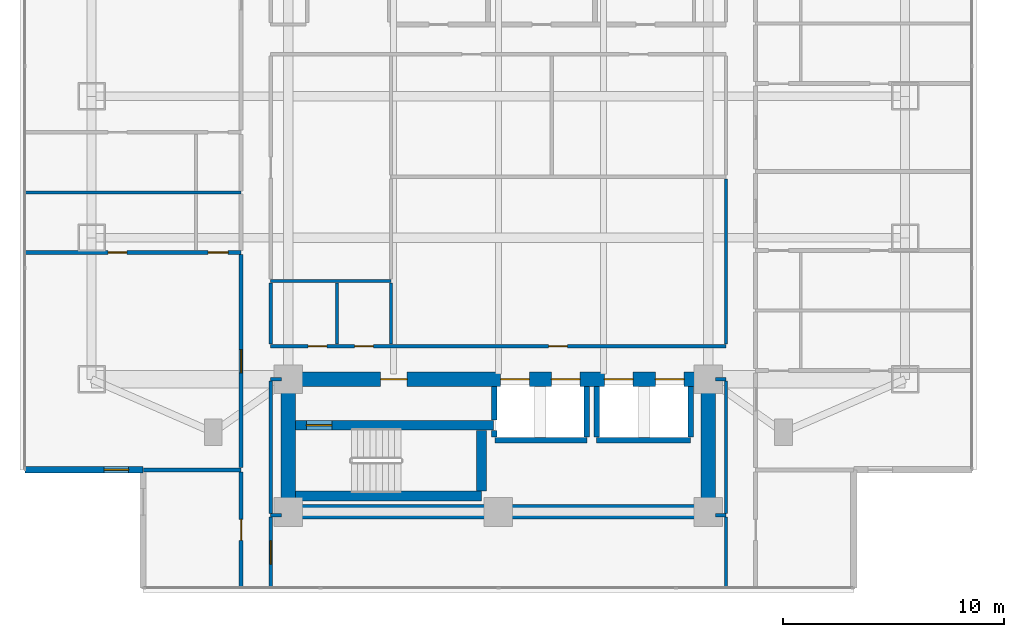
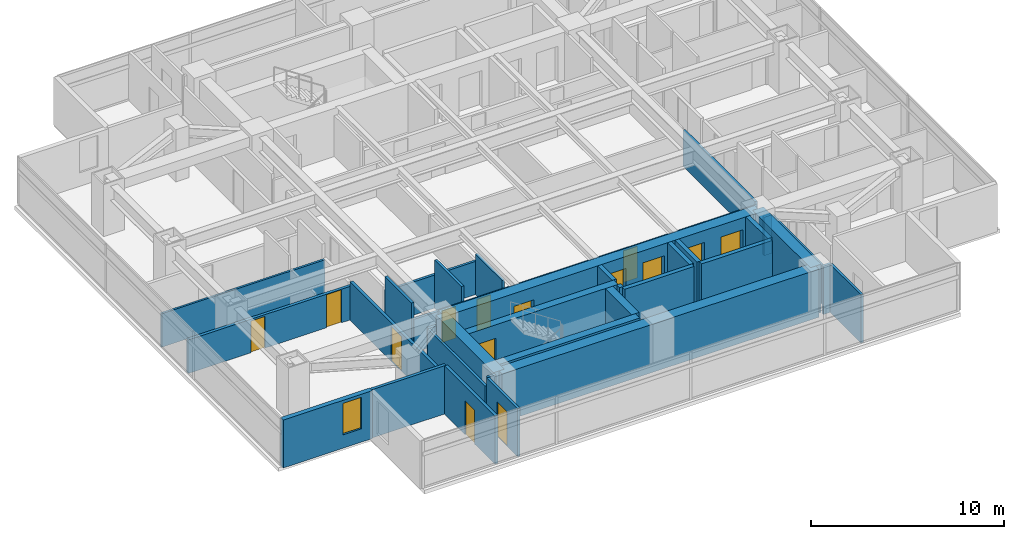
# One storey, part 12 of 24: 34 walls, 14 doors, 1 window, 15 openings.
"""IFC4 building model written with IfcOpenShell, lengths in metres."""

from ifc_helpers import new_model, si_unit, direction, frame, frame_2d, origin, place, context, subcontext, project, spatial, rectangle, extrude, material, layer, layer_set, type_object, element, fill, save


model = new_model("IFC4")

# Units and contexts
model_context = context("Model", 3, precision=1e-05, world=origin(), true_north=direction((0.0, 1.0)))
body_context = subcontext(model_context, "Body", "Model", "MODEL_VIEW")
ifc_project = project(units=[si_unit("LENGTHUNIT", "METRE"), si_unit("AREAUNIT", "SQUARE_METRE"), si_unit("VOLUMEUNIT", "CUBIC_METRE"), si_unit("PLANEANGLEUNIT", "RADIAN"), si_unit("MASSUNIT", "GRAM", prefix="KILO")], contexts=[model_context])

# Site, building, storey
site_placement = place(None, origin())
site = spatial("IfcSite", under=ifc_project, at=site_placement, CompositionType="ELEMENT")
building_placement = place(site_placement, origin())
building = spatial("IfcBuilding", under=site, at=building_placement, Name="Mirazonda Arch Towers", CompositionType="ELEMENT")
storey_placement = place(building_placement, frame((0.0, 0.0, 62.0)))
storey = spatial("IfcBuildingStorey", under=building, at=storey_placement, Name="L17", CompositionType="ELEMENT", Elevation=62.0)

# Wall
ifc_material_1 = material(Name="Concrete C50/60", Category="concrete")
ifc_layer_1 = layer(ifc_material_1, 0.449951171875, Name="WALL-CORE-450")
ifc_layer_set_1 = layer_set([ifc_layer_1], Name="Concrete C50/60")
wall_type_1 = type_object("IfcWallType", Name="WALL-CORE-450", PredefinedType="SHEAR", material=ifc_layer_set_1)
wall_1_placement = place(storey_placement, frame((11.320068359375, 13.1201171875, 0.0), z_axis=(0.0, 0.0, 1.0), x_axis=(1.0, 0.0, 0.0)))
element("IfcWall", 1, at=wall_1_placement, inside=storey, type_object=wall_type_1, Name="L17 Stair Core Shear Wall 003", PredefinedType="SHEAR", context=body_context, shape_type="SweptSolid", body=[
    extrude(rectangle(XDim=8.409912109375, YDim=0.449951171875, at=frame_2d((4.205078125, 0.0))), origin(), (0.0, 0.0, 1.0), 3.06005859375),
])

# Wall, opening, door
wall_2_placement = place(storey_placement, frame((11.320068359375, 16.320068359375, 0.0), z_axis=(0.0, 0.0, 1.0), x_axis=(1.0, 0.0, 0.0)))
wall_2 = element("IfcWall", 2, at=wall_2_placement, inside=storey, type_object=wall_type_1, Name="L17 Stair Core Shear Wall 008", PredefinedType="SHEAR", context=body_context, shape_type="SweptSolid", body=[
    extrude(rectangle(XDim=8.9599609375, YDim=0.449951171875, at=frame_2d((4.47998046875, 0.0))), origin(), (0.0, 0.0, 1.0), 3.06005859375),
])
opening_1_placement = place(wall_2_placement, frame((0.4951171875, 0.0, 0.0)))
opening_1 = element("IfcOpeningElement", 3, at=opening_1_placement, cuts=wall_2, Name="Opening DR-135", PredefinedType="OPENING", context=body_context, shape_type="SweptSolid", body=[
    extrude(rectangle(XDim=1.14990234375, YDim=2.199951171875, at=frame_2d((0.574951171875, 1.10009765625))), frame((0.0, 0.23486328125, 0.0), z_axis=(0.0, -1.0, 0.0), x_axis=(1.0, 0.0, 0.0)), (0.0, 0.0, 1.0), 0.469970703125),
])
ifc_material_2 = material(Name="Architectural Brushed Steel S355", Category="steel")
door_type_1 = type_object("IfcDoorType", Name="DOOR-STAIR-FD90-1150", OperationType="NOTDEFINED", PredefinedType="DOOR", material=ifc_material_2)
door_1_placement = place(opening_1_placement, origin())
door_1 = element("IfcDoor", 4, at=door_1_placement, inside=storey, type_object=door_type_1, Name="L17 Protected Exit Stair South Door", OperationType="SINGLE_SWING_RIGHT", OverallHeight=2.199951171875, OverallWidth=1.14990234375, PredefinedType="DOOR", context=body_context, shape_type="SweptSolid", body=[
    extrude(rectangle(XDim=1.14990234375, YDim=2.199951171875, at=frame_2d((0.574951171875, 1.10009765625))), frame((0.0, 0.02490234375, 0.0), z_axis=(0.0, -1.0, 0.0), x_axis=(1.0, 0.0, 0.0)), (0.0, 0.0, 1.0), 0.050048828125),
])
fill(opening_1, door_1)

# Walls
wall_3_placement = place(storey_placement, frame((19.72998046875, 13.35498046875, 0.0), z_axis=(0.0, 0.0, 1.0), x_axis=(0.0, 1.0, 0.0)))
element("IfcWall", 5, at=wall_3_placement, inside=storey, type_object=wall_type_1, Name="L17 Stair Core Shear Wall 082", PredefinedType="SHEAR", context=body_context, shape_type="SweptSolid", body=[
    extrude(rectangle(XDim=2.72998046875, YDim=0.449951171875, at=frame_2d((1.364990234375, 0.0))), origin(), (0.0, 0.0, 1.0), 3.06005859375),
])
ifc_material_3 = material(Name="Concrete C60/75", Category="concrete")
ifc_layer_2 = layer(ifc_material_3, 0.64990234375, Name="WALL-CORE-650")
ifc_layer_set_2 = layer_set([ifc_layer_2], Name="Concrete C60/75")
wall_type_2 = type_object("IfcWallType", Name="WALL-CORE-650", PredefinedType="SHEAR", material=ifc_layer_set_2)
wall_4_placement = place(storey_placement, frame((11.0, 12.39990234375, 0.0), z_axis=(0.0, 0.0, 1.0), x_axis=(1.0, 0.0, 0.0)))
element("IfcWall", 6, at=wall_4_placement, inside=storey, type_object=wall_type_2, Name="L17 T1S-S Core Shear Wall", PredefinedType="SHEAR", context=body_context, shape_type="SweptSolid", body=[
    extrude(rectangle(XDim=19.0, YDim=0.64990234375, at=frame_2d((9.5, 0.0))), origin(), (0.0, 0.0, 1.0), 3.06005859375),
])
for number, where, z_axis, x_axis, name in (
    (7, (11.0, 12.39990234375, 0.0), (0.0, 0.0, 1.0), (0.0, 1.0, 0.0), "L17 T1S-W Core Shear Wall"),
    (8, (30.0, 12.39990234375, 0.0), (0.0, 0.0, 1.0), (0.0, 1.0, 0.0), "L17 T1S-E Core Shear Wall"),
):
    element("IfcWall", number, at=place(storey_placement, frame(where, z_axis=z_axis, x_axis=x_axis)), inside=storey, type_object=wall_type_2, Name=name, PredefinedType="SHEAR", context=body_context, shape_type="SweptSolid", body=[
        extrude(rectangle(XDim=6.0, YDim=0.64990234375, at=frame_2d((3.0, 0.0))), origin(), (0.0, 0.0, 1.0), 3.06005859375),
    ])

# Wall, openings, doors
wall_5_placement = place(storey_placement, frame((11.0, 18.39990234375, 0.0), z_axis=(0.0, 0.0, 1.0), x_axis=(1.0, 0.0, 0.0)))
wall_5 = element("IfcWall", 9, at=wall_5_placement, inside=storey, type_object=wall_type_2, Name="L17 T1S-N Core Shear Wall", PredefinedType="SHEAR", context=body_context, shape_type="SweptSolid", body=[
    extrude(rectangle(XDim=19.0, YDim=0.64990234375, at=frame_2d((9.5, 0.0))), origin(), (0.0, 0.0, 1.0), 3.06005859375),
])
opening_2_placement = place(wall_5_placement, frame((4.175048828125, 0.0, 0.0)))
opening_2 = element("IfcOpeningElement", 10, at=opening_2_placement, cuts=wall_5, Name="Opening DR-117", PredefinedType="OPENING", context=body_context, shape_type="SweptSolid", body=[
    extrude(rectangle(XDim=1.199951171875, YDim=2.25, at=frame_2d((0.60009765625, 1.125))), frame((0.0, 0.3349609375, 0.0), z_axis=(0.0, -1.0, 0.0), x_axis=(1.0, 0.0, 0.0)), (0.0, 0.0, 1.0), 0.669921875),
])
opening_3_placement = place(wall_5_placement, frame((9.60009765625, 0.0, 0.0)))
opening_3 = element("IfcOpeningElement", 11, at=opening_3_placement, cuts=wall_5, Name="Opening LD-111", PredefinedType="OPENING", context=body_context, shape_type="SweptSolid", body=[
    extrude(rectangle(XDim=1.300048828125, YDim=2.300048828125, at=frame_2d((0.64990234375, 1.14990234375))), frame((0.0, 0.3349609375, 0.0), z_axis=(0.0, -1.0, 0.0), x_axis=(1.0, 0.0, 0.0)), (0.0, 0.0, 1.0), 0.669921875),
])
opening_4_placement = place(wall_5_placement, frame((11.89990234375, 0.0, 0.0)))
opening_4 = element("IfcOpeningElement", 12, at=opening_4_placement, cuts=wall_5, Name="Opening LD-111", PredefinedType="OPENING", context=body_context, shape_type="SweptSolid", body=[
    extrude(rectangle(XDim=1.300048828125, YDim=2.300048828125, at=frame_2d((0.64990234375, 1.14990234375))), frame((0.0, 0.3349609375, 0.0), z_axis=(0.0, -1.0, 0.0), x_axis=(1.0, 0.0, 0.0)), (0.0, 0.0, 1.0), 0.669921875),
])
opening_5_placement = place(wall_5_placement, frame((14.300048828125, 0.0, 0.0)))
opening_5 = element("IfcOpeningElement", 13, at=opening_5_placement, cuts=wall_5, Name="Opening LD-111", PredefinedType="OPENING", context=body_context, shape_type="SweptSolid", body=[
    extrude(rectangle(XDim=1.300048828125, YDim=2.300048828125, at=frame_2d((0.64990234375, 1.14990234375))), frame((0.0, 0.3349609375, 0.0), z_axis=(0.0, -1.0, 0.0), x_axis=(1.0, 0.0, 0.0)), (0.0, 0.0, 1.0), 0.669921875),
])
opening_6_placement = place(wall_5_placement, frame((16.60009765625, 0.0, 0.0)))
opening_6 = element("IfcOpeningElement", 14, at=opening_6_placement, cuts=wall_5, Name="Opening LD-111", PredefinedType="OPENING", context=body_context, shape_type="SweptSolid", body=[
    extrude(rectangle(XDim=1.300048828125, YDim=2.300048828125, at=frame_2d((0.64990234375, 1.14990234375))), frame((0.0, 0.3349609375, 0.0), z_axis=(0.0, -1.0, 0.0), x_axis=(1.0, 0.0, 0.0)), (0.0, 0.0, 1.0), 0.669921875),
])
door_type_2 = type_object("IfcDoorType", Name="DOOR-FFL-FD90-1200", OperationType="NOTDEFINED", PredefinedType="DOOR", material=ifc_material_2)
door_2_placement = place(opening_2_placement, origin())
door_2 = element("IfcDoor", 15, at=door_2_placement, inside=storey, type_object=door_type_2, Name="L17 South Core Stair & Lift Lobby Door", OperationType="SINGLE_SWING_LEFT", OverallHeight=2.25, OverallWidth=1.199951171875, PredefinedType="DOOR", context=body_context, shape_type="SweptSolid", body=[
    extrude(rectangle(XDim=1.199951171875, YDim=2.25, at=frame_2d((0.60009765625, 1.125))), frame((0.0, 0.02490234375, 0.0), z_axis=(0.0, -1.0, 0.0), x_axis=(1.0, 0.0, 0.0)), (0.0, 0.0, 1.0), 0.050048828125),
])
fill(opening_2, door_2)
door_type_3 = type_object("IfcDoorType", Name="DOOR-LIFT-LAND-1300", OperationType="NOTDEFINED", PredefinedType="DOOR", material=ifc_material_2)
door_3_placement = place(opening_3_placement, origin())
door_3 = element("IfcDoor", 16, at=door_3_placement, inside=storey, type_object=door_type_3, Name="L17 Lift Landing Sliding Door PL-T1M1", OperationType="DOUBLE_DOOR_SLIDING", OverallHeight=2.300048828125, OverallWidth=1.300048828125, PredefinedType="DOOR", context=body_context, shape_type="SweptSolid", body=[
    extrude(rectangle(XDim=1.300048828125, YDim=2.300048828125, at=frame_2d((0.64990234375, 1.14990234375))), frame((0.0, 0.02490234375, 0.0), z_axis=(0.0, -1.0, 0.0), x_axis=(1.0, 0.0, 0.0)), (0.0, 0.0, 1.0), 0.050048828125),
])
fill(opening_3, door_3)
door_4_placement = place(opening_4_placement, origin())
door_4 = element("IfcDoor", 17, at=door_4_placement, inside=storey, type_object=door_type_3, Name="L17 Lift Landing Sliding Door PL-T1M2", OperationType="DOUBLE_DOOR_SLIDING", OverallHeight=2.300048828125, OverallWidth=1.300048828125, PredefinedType="DOOR", context=body_context, shape_type="SweptSolid", body=[
    extrude(rectangle(XDim=1.300048828125, YDim=2.300048828125, at=frame_2d((0.64990234375, 1.14990234375))), frame((0.0, 0.02490234375, 0.0), z_axis=(0.0, -1.0, 0.0), x_axis=(1.0, 0.0, 0.0)), (0.0, 0.0, 1.0), 0.050048828125),
])
fill(opening_4, door_4)
door_5_placement = place(opening_5_placement, origin())
door_5 = element("IfcDoor", 18, at=door_5_placement, inside=storey, type_object=door_type_3, Name="L17 Lift Landing Sliding Door PL-T1H1", OperationType="DOUBLE_DOOR_SLIDING", OverallHeight=2.300048828125, OverallWidth=1.300048828125, PredefinedType="DOOR", context=body_context, shape_type="SweptSolid", body=[
    extrude(rectangle(XDim=1.300048828125, YDim=2.300048828125, at=frame_2d((0.64990234375, 1.14990234375))), frame((0.0, 0.02490234375, 0.0), z_axis=(0.0, -1.0, 0.0), x_axis=(1.0, 0.0, 0.0)), (0.0, 0.0, 1.0), 0.050048828125),
])
fill(opening_5, door_5)
door_6_placement = place(opening_6_placement, origin())
door_6 = element("IfcDoor", 19, at=door_6_placement, inside=storey, type_object=door_type_3, Name="L17 Lift Landing Sliding Door PL-T1H2", OperationType="DOUBLE_DOOR_SLIDING", OverallHeight=2.300048828125, OverallWidth=1.300048828125, PredefinedType="DOOR", context=body_context, shape_type="SweptSolid", body=[
    extrude(rectangle(XDim=1.300048828125, YDim=2.300048828125, at=frame_2d((0.64990234375, 1.14990234375))), frame((0.0, 0.02490234375, 0.0), z_axis=(0.0, -1.0, 0.0), x_axis=(1.0, 0.0, 0.0)), (0.0, 0.0, 1.0), 0.050048828125),
])
fill(opening_6, door_6)

# Wall, opening, window
ifc_material_4 = material(Name="Precast Concrete C40/50", Category="concrete")
ifc_layer_3 = layer(ifc_material_4, 0.280029296875, Name="WALL-EXT-WALL-280")
ifc_layer_set_3 = layer_set([ifc_layer_3], Name="Precast Concrete C40/50")
wall_type_3 = type_object("IfcWallType", Name="WALL-EXT-WALL-280", PredefinedType="SOLIDWALL", material=ifc_layer_set_3)
wall_6_placement = place(storey_placement, frame((-0.919921875, 14.305908203125, 0.0), z_axis=(0.0, 0.0, 1.0), x_axis=(1.0, 0.0, 0.0)))
wall_6 = element("IfcWall", 20, at=wall_6_placement, inside=storey, type_object=wall_type_3, Name="L17 T1 Corner Notch Return Wall WL-L17-T1-CSW2", PredefinedType="SOLIDWALL", context=body_context, shape_type="SweptSolid", body=[
    extrude(rectangle(XDim=5.33984375, YDim=0.280029296875, at=frame_2d((2.669921875, 0.0))), origin(), (0.0, 0.0, 1.0), 3.0400390625),
])
opening_7_placement = place(wall_6_placement, frame((3.590087890625, 0.0, 0.85009765625)))
opening_7 = element("IfcOpeningElement", 21, at=opening_7_placement, cuts=wall_6, Name="Opening WN-108", PredefinedType="OPENING", context=body_context, shape_type="SweptSolid", body=[
    extrude(rectangle(XDim=1.10009765625, YDim=2.0, at=frame_2d((0.550048828125, 1.0))), frame((0.0, 0.14990234375, 0.0), z_axis=(0.0, -1.0, 0.0), x_axis=(1.0, 0.0, 0.0)), (0.0, 0.0, 1.0), 0.300048828125),
])
ifc_material_5 = material(Name="Insulated Low-E Solar Glass", Category="glass")
window_type = type_object("IfcWindowType", Name="WIN-NOTCH-1100x2000", PartitioningType="SINGLE_PANEL", PredefinedType="WINDOW", material=ifc_material_5)
window_placement = place(opening_7_placement, origin())
window = element("IfcWindow", 22, at=window_placement, inside=storey, type_object=window_type, Name="L17 Punched Facade Window WN-L17-T1-CSW2", OverallHeight=2.0, OverallWidth=1.10009765625, PartitioningType="SINGLE_PANEL", PredefinedType="WINDOW", context=body_context, shape_type="SweptSolid", body=[
    extrude(rectangle(XDim=1.10009765625, YDim=2.0, at=frame_2d((0.550048828125, 1.0))), frame((0.0, 0.030029296875, 0.0), z_axis=(0.0, -1.0, 0.0), x_axis=(1.0, 0.0, 0.0)), (0.0, 0.0, 1.0), 0.06005859375),
])
fill(opening_7, window)

# Walls
ifc_material_6 = material(Name="Fire-Rated Gypsum Stud Partition")
ifc_layer_4 = layer(ifc_material_6, 0.14990234375, Name="WALL-PART-CORR-150")
ifc_layer_set_4 = layer_set([ifc_layer_4], Name="Fire-Rated Gypsum Stud Partition")
wall_type_4 = type_object("IfcWallType", Name="WALL-PART-CORR-150", PredefinedType="PARTITIONING", material=ifc_layer_set_4)
for number, where, z_axis, x_axis, name in (
    (23, (10.199951171875, 12.25, 0.0), (0.0, 0.0, 1.0), (1.0, 0.0, 0.0), "L17 Interior Partition 001"),
    (24, (30.320068359375, 12.25, 0.0), (0.0, 0.0, 1.0), (1.0, 0.0, 0.0), "L17 Interior Partition 002"),
):
    element("IfcWall", number, at=place(storey_placement, frame(where, z_axis=z_axis, x_axis=x_axis)), inside=storey, type_object=wall_type_4, Name=name, PredefinedType="PARTITIONING", context=body_context, shape_type="SweptSolid", body=[
        extrude(rectangle(XDim=0.47998046875, YDim=0.14990234375, at=frame_2d((0.239990234375, 0.0))), origin(), (0.0, 0.0, 1.0), 3.06005859375),
    ])
for number, where, z_axis, x_axis, name in (
    (25, (10.199951171875, 18.39990234375, 0.0), (0.0, 0.0, 1.0), (1.0, 0.0, 0.0), "L17 Interior Partition 012"),
    (26, (30.320068359375, 18.39990234375, 0.0), (0.0, 0.0, 1.0), (1.0, 0.0, 0.0), "L17 Interior Partition 013"),
):
    element("IfcWall", number, at=place(storey_placement, frame(where, z_axis=z_axis, x_axis=x_axis)), inside=storey, type_object=wall_type_4, Name=name, PredefinedType="PARTITIONING", context=body_context, shape_type="SweptSolid", body=[
        extrude(rectangle(XDim=0.47998046875, YDim=0.14990234375, at=frame_2d((0.239990234375, 0.0))), origin(), (0.0, 0.0, 1.0), 2.43603515625),
    ])

# Wall, openings, doors
wall_7_placement = place(storey_placement, frame((10.199951171875, 19.89990234375, 0.0), z_axis=(0.0, 0.0, 1.0), x_axis=(1.0, 0.0, 0.0)))
wall_7 = element("IfcWall", 27, at=wall_7_placement, inside=storey, type_object=wall_type_4, Name="L17 Interior Partition 016", PredefinedType="PARTITIONING", context=body_context, shape_type="SweptSolid", body=[
    extrude(rectangle(XDim=20.60009765625, YDim=0.14990234375, at=frame_2d((10.300048828125, 0.0))), origin(), (0.0, 0.0, 1.0), 2.10400390625),
])
opening_8_placement = place(wall_7_placement, frame((1.695068359375, 0.0, 0.0)))
opening_8 = element("IfcOpeningElement", 28, at=opening_8_placement, cuts=wall_7, Name="Opening DR-128", PredefinedType="OPENING", context=body_context, shape_type="SweptSolid", body=[
    extrude(rectangle(XDim=0.85009765625, YDim=2.010009765625, at=frame_2d((0.425048828125, 1.0048828125))), frame((0.0, 0.0849609375, 0.0), z_axis=(0.0, -1.0, 0.0), x_axis=(1.0, 0.0, 0.0)), (0.0, 0.0, 1.0), 0.169921875),
])
opening_9_placement = place(wall_7_placement, frame((3.794921875, 0.0, 0.0)))
opening_9 = element("IfcOpeningElement", 29, at=opening_9_placement, cuts=wall_7, Name="Opening DR-128", PredefinedType="OPENING", context=body_context, shape_type="SweptSolid", body=[
    extrude(rectangle(XDim=0.85009765625, YDim=2.010009765625, at=frame_2d((0.425048828125, 1.0048828125))), frame((0.0, 0.0849609375, 0.0), z_axis=(0.0, -1.0, 0.0), x_axis=(1.0, 0.0, 0.0)), (0.0, 0.0, 1.0), 0.169921875),
])
opening_10_placement = place(wall_7_placement, frame((12.574951171875, 0.0, 0.0)))
opening_10 = element("IfcOpeningElement", 30, at=opening_10_placement, cuts=wall_7, Name="Opening DR-128", PredefinedType="OPENING", context=body_context, shape_type="SweptSolid", body=[
    extrude(rectangle(XDim=0.85009765625, YDim=2.010009765625, at=frame_2d((0.425048828125, 1.0048828125))), frame((0.0, 0.0849609375, 0.0), z_axis=(0.0, -1.0, 0.0), x_axis=(1.0, 0.0, 0.0)), (0.0, 0.0, 1.0), 0.169921875),
])
door_type_4 = type_object("IfcDoorType", Name="DOOR-RISER-FD60-850", OperationType="NOTDEFINED", PredefinedType="DOOR", material=ifc_material_2)
door_7_placement = place(opening_8_placement, origin())
door_7 = element("IfcDoor", 31, at=door_7_placement, inside=storey, type_object=door_type_4, Name="L17 Common Accessible WC Door", OperationType="SINGLE_SWING_LEFT", OverallHeight=2.010009765625, OverallWidth=0.85009765625, PredefinedType="DOOR", context=body_context, shape_type="SweptSolid", body=[
    extrude(rectangle(XDim=0.85009765625, YDim=2.010009765625, at=frame_2d((0.425048828125, 1.0048828125))), frame((0.0, 0.02490234375, 0.0), z_axis=(0.0, -1.0, 0.0), x_axis=(1.0, 0.0, 0.0)), (0.0, 0.0, 1.0), 0.050048828125),
])
fill(opening_8, door_7)
door_8_placement = place(opening_9_placement, origin())
door_8 = element("IfcDoor", 32, at=door_8_placement, inside=storey, type_object=door_type_4, Name="L17 L17 West Courtyard Study Door", OperationType="SINGLE_SWING_RIGHT", OverallHeight=2.010009765625, OverallWidth=0.85009765625, PredefinedType="DOOR", context=body_context, shape_type="SweptSolid", body=[
    extrude(rectangle(XDim=0.85009765625, YDim=2.010009765625, at=frame_2d((0.425048828125, 1.0048828125))), frame((0.0, 0.02490234375, 0.0), z_axis=(0.0, -1.0, 0.0), x_axis=(1.0, 0.0, 0.0)), (0.0, 0.0, 1.0), 0.050048828125),
])
fill(opening_9, door_8)
door_9_placement = place(opening_10_placement, origin())
door_9 = element("IfcDoor", 33, at=door_9_placement, inside=storey, type_object=door_type_4, Name="L17 Executive Club Lounge Door", OperationType="SINGLE_SWING_RIGHT", OverallHeight=2.010009765625, OverallWidth=0.85009765625, PredefinedType="DOOR", context=body_context, shape_type="SweptSolid", body=[
    extrude(rectangle(XDim=0.85009765625, YDim=2.010009765625, at=frame_2d((0.425048828125, 1.0048828125))), frame((0.0, 0.02490234375, 0.0), z_axis=(0.0, -1.0, 0.0), x_axis=(1.0, 0.0, 0.0)), (0.0, 0.0, 1.0), 0.050048828125),
])
fill(opening_10, door_9)

# Wall
wall_8_placement = place(storey_placement, frame((10.199951171875, 22.85009765625, 0.0), z_axis=(0.0, 0.0, 1.0), x_axis=(1.0, 0.0, 0.0)))
element("IfcWall", 34, at=wall_8_placement, inside=storey, type_object=wall_type_4, Name="L17 Interior Partition 023", PredefinedType="PARTITIONING", context=body_context, shape_type="SweptSolid", body=[
    extrude(rectangle(XDim=5.43994140625, YDim=0.14990234375, at=frame_2d((2.719970703125, 0.0))), origin(), (0.0, 0.0, 1.0), 2.10400390625),
])

# Wall, opening, door
wall_9_placement = place(storey_placement, frame((10.199951171875, 8.966064453125, 0.0), z_axis=(0.0, 0.0, 1.0), x_axis=(0.0, 1.0, 0.0)))
wall_9 = element("IfcWall", 35, at=wall_9_placement, inside=storey, type_object=wall_type_4, Name="L17 Interior Partition 069", PredefinedType="PARTITIONING", context=body_context, shape_type="SweptSolid", body=[
    extrude(rectangle(XDim=3.198974609375, YDim=0.14990234375, at=frame_2d((1.599609375, 0.0))), origin(), (0.0, 0.0, 1.0), 3.06005859375),
])
opening_11_placement = place(wall_9_placement, frame((1.074462890625, 0.0, 0.0)))
opening_11 = element("IfcOpeningElement", 36, at=opening_11_placement, cuts=wall_9, Name="Opening DR-121", PredefinedType="OPENING", context=body_context, shape_type="SweptSolid", body=[
    extrude(rectangle(XDim=1.050048828125, YDim=2.199951171875, at=frame_2d((0.52490234375, 1.10009765625))), frame((0.0, 0.0849609375, 0.0), z_axis=(0.0, -1.0, 0.0), x_axis=(1.0, 0.0, 0.0)), (0.0, 0.0, 1.0), 0.169921875),
])
door_type_5 = type_object("IfcDoorType", Name="DOOR-SUITE-FD60-1050", OperationType="NOTDEFINED", PredefinedType="DOOR", material=ifc_material_2)
door_10_placement = place(opening_11_placement, origin())
door_10 = element("IfcDoor", 37, at=door_10_placement, inside=storey, type_object=door_type_5, Name="L17 South Horizon Lounge Gallery Door", OperationType="SINGLE_SWING_LEFT", OverallHeight=2.199951171875, OverallWidth=1.050048828125, PredefinedType="DOOR", context=body_context, shape_type="SweptSolid", body=[
    extrude(rectangle(XDim=1.050048828125, YDim=2.199951171875, at=frame_2d((0.52490234375, 1.10009765625))), frame((0.0, 0.02490234375, 0.0), z_axis=(0.0, -1.0, 0.0), x_axis=(1.0, 0.0, 0.0)), (0.0, 0.0, 1.0), 0.050048828125),
])
fill(opening_11, door_10)

# Walls
wall_10_placement = place(storey_placement, frame((10.199951171875, 12.3349609375, 0.0), z_axis=(0.0, 0.0, 1.0), x_axis=(0.0, 1.0, 0.0)))
element("IfcWall", 38, at=wall_10_placement, inside=storey, type_object=wall_type_4, Name="L17 Interior Partition 070", PredefinedType="PARTITIONING", context=body_context, shape_type="SweptSolid", body=[
    extrude(rectangle(XDim=5.97998046875, YDim=0.14990234375, at=frame_2d((2.989990234375, 0.0))), origin(), (0.0, 0.0, 1.0), 2.43603515625),
])
for number, where, z_axis, x_axis, name in (
    (39, (10.206787109375, 19.985107421875, 0.0), (0.0, 0.0, 1.0), (0.0, 1.0, 0.0), "L17 Interior Partition 071"),
    (40, (13.199951171875, 19.985107421875, 0.0), (0.0, 0.0, 1.0), (0.0, 1.0, 0.0), "L17 Interior Partition 076"),
):
    element("IfcWall", number, at=place(storey_placement, frame(where, z_axis=z_axis, x_axis=x_axis)), inside=storey, type_object=wall_type_4, Name=name, PredefinedType="PARTITIONING", context=body_context, shape_type="SweptSolid", body=[
        extrude(rectangle(XDim=2.77978515625, YDim=0.14990234375, at=frame_2d((1.389892578125, 0.0))), origin(), (0.0, 0.0, 1.0), 3.06005859375),
    ])
wall_11_placement = place(storey_placement, frame((15.639892578125, 19.985107421875, 0.0), z_axis=(0.0, 0.0, 1.0), x_axis=(0.0, 1.0, 0.0)))
element("IfcWall", 41, at=wall_11_placement, inside=storey, type_object=wall_type_4, Name="L17 Interior Partition 077", PredefinedType="PARTITIONING", context=body_context, shape_type="SweptSolid", body=[
    extrude(rectangle(XDim=2.77978515625, YDim=0.14990234375, at=frame_2d((1.389892578125, 0.0))), origin(), (0.0, 0.0, 1.0), 2.589111328125),
])
wall_12_placement = place(storey_placement, frame((30.800048828125, 8.966064453125, 0.0), z_axis=(0.0, 0.0, 1.0), x_axis=(0.0, 1.0, 0.0)))
element("IfcWall", 42, at=wall_12_placement, inside=storey, type_object=wall_type_4, Name="L17 Interior Partition 096", PredefinedType="PARTITIONING", context=body_context, shape_type="SweptSolid", body=[
    extrude(rectangle(XDim=3.198974609375, YDim=0.14990234375, at=frame_2d((1.599609375, 0.0))), origin(), (0.0, 0.0, 1.0), 3.06005859375),
])
wall_13_placement = place(storey_placement, frame((30.800048828125, 12.3349609375, 0.0), z_axis=(0.0, 0.0, 1.0), x_axis=(0.0, 1.0, 0.0)))
element("IfcWall", 43, at=wall_13_placement, inside=storey, type_object=wall_type_4, Name="L17 Interior Partition 097", PredefinedType="PARTITIONING", context=body_context, shape_type="SweptSolid", body=[
    extrude(rectangle(XDim=5.97998046875, YDim=0.14990234375, at=frame_2d((2.989990234375, 0.0))), origin(), (0.0, 0.0, 1.0), 2.43603515625),
])
wall_14_placement = place(storey_placement, frame((30.800048828125, 19.985107421875, 0.0), z_axis=(0.0, 0.0, 1.0), x_axis=(0.0, 1.0, 0.0)))
element("IfcWall", 44, at=wall_14_placement, inside=storey, type_object=wall_type_4, Name="L17 Interior Partition 098", PredefinedType="PARTITIONING", context=body_context, shape_type="SweptSolid", body=[
    extrude(rectangle(XDim=7.48583984375, YDim=0.14990234375, at=frame_2d((3.742919921875, 0.0))), origin(), (0.0, 0.0, 1.0), 2.279052734375),
])
ifc_material_7 = material(Name="Fire-Rated Gypsum Twin-Stud Assembly")
ifc_layer_5 = layer(ifc_material_7, 0.179931640625, Name="WALL-PART-DEMISE-180")
ifc_layer_set_5 = layer_set([ifc_layer_5], Name="Fire-Rated Gypsum Twin-Stud Assembly")
wall_type_5 = type_object("IfcWallType", Name="WALL-PART-DEMISE-180", PredefinedType="PARTITIONING", material=ifc_layer_set_5)
wall_15_placement = place(storey_placement, frame((4.43994140625, 14.305908203125, 0.0), z_axis=(0.0, 0.0, 1.0), x_axis=(1.0, 0.0, 0.0)))
element("IfcWall", 45, at=wall_15_placement, inside=storey, type_object=wall_type_5, Name="L17 Interior Partition 004", PredefinedType="PARTITIONING", context=body_context, shape_type="SweptSolid", body=[
    extrude(rectangle(XDim=4.420166015625, YDim=0.179931640625, at=frame_2d((2.2099609375, 0.0))), origin(), (0.0, 0.0, 1.0), 3.06005859375),
])

# Wall, openings, doors
wall_16_placement = place(storey_placement, frame((-0.919921875, 24.135009765625, 0.0), z_axis=(0.0, 0.0, 1.0), x_axis=(1.0, 0.0, 0.0)))
wall_16 = element("IfcWall", 46, at=wall_16_placement, inside=storey, type_object=wall_type_5, Name="L17 Interior Partition 025", PredefinedType="PARTITIONING", context=body_context, shape_type="SweptSolid", body=[
    extrude(rectangle(XDim=9.780029296875, YDim=0.179931640625, at=frame_2d((4.89013671875, 0.0))), origin(), (0.0, 0.0, 1.0), 2.125),
])
opening_12_placement = place(wall_16_placement, frame((3.764892578125, 0.0, 0.0)))
opening_12 = element("IfcOpeningElement", 47, at=opening_12_placement, cuts=wall_16, Name="Opening DR-128", PredefinedType="OPENING", context=body_context, shape_type="SweptSolid", body=[
    extrude(rectangle(XDim=0.85009765625, YDim=2.010009765625, at=frame_2d((0.425048828125, 1.0048828125))), frame((0.0, 0.099853515625, 0.0), z_axis=(0.0, -1.0, 0.0), x_axis=(1.0, 0.0, 0.0)), (0.0, 0.0, 1.0), 0.199951171875),
])
opening_13_placement = place(wall_16_placement, frame((8.2900390625, 0.0, 0.0)))
opening_13 = element("IfcOpeningElement", 48, at=opening_13_placement, cuts=wall_16, Name="Opening DR-120", PredefinedType="OPENING", context=body_context, shape_type="SweptSolid", body=[
    extrude(rectangle(XDim=0.89990234375, YDim=2.10009765625, at=frame_2d((0.449951171875, 1.050048828125))), frame((0.0, 0.099853515625, 0.0), z_axis=(0.0, -1.0, 0.0), x_axis=(1.0, 0.0, 0.0)), (0.0, 0.0, 1.0), 0.199951171875),
])
door_11_placement = place(opening_12_placement, origin())
door_11 = element("IfcDoor", 49, at=door_11_placement, inside=storey, type_object=door_type_4, Name="L17 Suite Bedroom 1 Door", OperationType="SINGLE_SWING_LEFT", OverallHeight=2.010009765625, OverallWidth=0.85009765625, PredefinedType="DOOR", context=body_context, shape_type="SweptSolid", body=[
    extrude(rectangle(XDim=0.85009765625, YDim=2.010009765625, at=frame_2d((0.425048828125, 1.0048828125))), frame((0.0, 0.02490234375, 0.0), z_axis=(0.0, -1.0, 0.0), x_axis=(1.0, 0.0, 0.0)), (0.0, 0.0, 1.0), 0.050048828125),
])
fill(opening_12, door_11)
door_type_6 = type_object("IfcDoorType", Name="DOOR-WC-900", OperationType="NOTDEFINED", PredefinedType="DOOR", material=ifc_material_2)
door_12_placement = place(opening_13_placement, origin())
door_12 = element("IfcDoor", 50, at=door_12_placement, inside=storey, type_object=door_type_6, Name="L17 Suite En-Suite Bathroom 1 Door", OperationType="SINGLE_SWING_RIGHT", OverallHeight=2.10009765625, OverallWidth=0.89990234375, PredefinedType="DOOR", context=body_context, shape_type="SweptSolid", body=[
    extrude(rectangle(XDim=0.89990234375, YDim=2.10009765625, at=frame_2d((0.449951171875, 1.050048828125))), frame((0.0, 0.02490234375, 0.0), z_axis=(0.0, -1.0, 0.0), x_axis=(1.0, 0.0, 0.0)), (0.0, 0.0, 1.0), 0.050048828125),
])
fill(opening_13, door_12)

# Wall, opening, door
wall_17_placement = place(storey_placement, frame((8.860107421875, 8.966064453125, 0.0), z_axis=(0.0, 0.0, 1.0), x_axis=(0.0, 1.0, 0.0)))
wall_17 = element("IfcWall", 51, at=wall_17_placement, inside=storey, type_object=wall_type_5, Name="L17 Interior Partition 063", PredefinedType="PARTITIONING", context=body_context, shape_type="SweptSolid", body=[
    extrude(rectangle(XDim=5.239990234375, YDim=0.179931640625, at=frame_2d((2.6201171875, 0.0))), origin(), (0.0, 0.0, 1.0), 3.06005859375),
])
opening_14_placement = place(wall_17_placement, frame((2.14501953125, 0.0, 0.0)))
opening_14 = element("IfcOpeningElement", 52, at=opening_14_placement, cuts=wall_17, Name="Opening DR-104", PredefinedType="OPENING", context=body_context, shape_type="SweptSolid", body=[
    extrude(rectangle(XDim=0.949951171875, YDim=2.14990234375, at=frame_2d((0.47509765625, 1.074951171875))), frame((0.0, 0.099853515625, 0.0), z_axis=(0.0, -1.0, 0.0), x_axis=(1.0, 0.0, 0.0)), (0.0, 0.0, 1.0), 0.199951171875),
])
door_type_7 = type_object("IfcDoorType", Name="DOOR-ROOM-950", OperationType="NOTDEFINED", PredefinedType="DOOR", material=ifc_material_2)
door_13_placement = place(opening_14_placement, origin())
door_13 = element("IfcDoor", 53, at=door_13_placement, inside=storey, type_object=door_type_7, Name="L17 South Horizon Lounge Alcove West Door", OperationType="SINGLE_SWING_RIGHT", OverallHeight=2.14990234375, OverallWidth=0.949951171875, PredefinedType="DOOR", context=body_context, shape_type="SweptSolid", body=[
    extrude(rectangle(XDim=0.949951171875, YDim=2.14990234375, at=frame_2d((0.47509765625, 1.074951171875))), frame((0.0, 0.02490234375, 0.0), z_axis=(0.0, -1.0, 0.0), x_axis=(1.0, 0.0, 0.0)), (0.0, 0.0, 1.0), 0.050048828125),
])
fill(opening_14, door_13)

wall_18_placement = place(storey_placement, frame((8.860107421875, 14.406005859375, 0.0), z_axis=(0.0, 0.0, 1.0), x_axis=(0.0, 1.0, 0.0)))
wall_18 = element("IfcWall", 54, at=wall_18_placement, inside=storey, type_object=wall_type_5, Name="L17 Interior Partition 064", PredefinedType="PARTITIONING", context=body_context, shape_type="SweptSolid", body=[
    extrude(rectangle(XDim=9.62890625, YDim=0.179931640625, at=frame_2d((4.814453125, 0.0))), origin(), (0.0, 0.0, 1.0), 2.43603515625),
])
opening_15_placement = place(wall_18_placement, frame((4.28955078125, 0.0, 0.0)))
opening_15 = element("IfcOpeningElement", 55, at=opening_15_placement, cuts=wall_18, Name="Opening DR-121", PredefinedType="OPENING", context=body_context, shape_type="SweptSolid", body=[
    extrude(rectangle(XDim=1.050048828125, YDim=2.199951171875, at=frame_2d((0.52490234375, 1.10009765625))), frame((0.0, 0.099853515625, 0.0), z_axis=(0.0, -1.0, 0.0), x_axis=(1.0, 0.0, 0.0)), (0.0, 0.0, 1.0), 0.199951171875),
])
door_14_placement = place(opening_15_placement, origin())
door_14 = element("IfcDoor", 56, at=door_14_placement, inside=storey, type_object=door_type_5, Name="L17 Presidential Hotel Suite 1 Door", OperationType="SINGLE_SWING_RIGHT", OverallHeight=2.199951171875, OverallWidth=1.050048828125, PredefinedType="DOOR", context=body_context, shape_type="SweptSolid", body=[
    extrude(rectangle(XDim=1.050048828125, YDim=2.199951171875, at=frame_2d((0.52490234375, 1.10009765625))), frame((0.0, 0.02490234375, 0.0), z_axis=(0.0, -1.0, 0.0), x_axis=(1.0, 0.0, 0.0)), (0.0, 0.0, 1.0), 0.050048828125),
])
fill(opening_15, door_14)

# Walls
ifc_material_8 = material(Name="Acoustic Fire-Rated Gypsum Partition")
ifc_layer_6 = layer(ifc_material_8, 0.125, Name="WALL-PART-UNIT-125")
ifc_layer_set_6 = layer_set([ifc_layer_6], Name="Acoustic Fire-Rated Gypsum Partition")
wall_type_6 = type_object("IfcWallType", Name="WALL-PART-UNIT-125", PredefinedType="PARTITIONING", material=ifc_layer_set_6)
wall_19_placement = place(storey_placement, frame((-0.919921875, 26.85498046875, 0.0), z_axis=(0.0, 0.0, 1.0), x_axis=(1.0, 0.0, 0.0)))
element("IfcWall", 57, at=wall_19_placement, inside=storey, type_object=wall_type_6, Name="L17 Interior Partition 029", PredefinedType="PARTITIONING", context=body_context, shape_type="SweptSolid", body=[
    extrude(rectangle(XDim=9.780029296875, YDim=0.125, at=frame_2d((4.89013671875, 0.0))), origin(), (0.0, 0.0, 1.0), 2.125),
])
ifc_material_9 = material(Name="Concrete C40/50", Category="concrete")
ifc_layer_7 = layer(ifc_material_9, 0.25, Name="WALL-SHAFT-250")
ifc_layer_set_7 = layer_set([ifc_layer_7], Name="Concrete C40/50")
wall_type_7 = type_object("IfcWallType", Name="WALL-SHAFT-250", PredefinedType="SOLIDWALL", material=ifc_layer_set_7)
wall_20_placement = place(storey_placement, frame((20.35009765625, 15.64990234375, 0.0), z_axis=(0.0, 0.0, 1.0), x_axis=(1.0, 0.0, 0.0)))
element("IfcWall", 58, at=wall_20_placement, inside=storey, type_object=wall_type_7, Name="L17 Interior Partition 006", PredefinedType="SOLIDWALL", context=body_context, shape_type="SweptSolid", body=[
    extrude(rectangle(XDim=4.14990234375, YDim=0.25, at=frame_2d((2.074951171875, 0.0))), origin(), (0.0, 0.0, 1.0), 3.06005859375),
])
wall_21_placement = place(storey_placement, frame((24.949951171875, 15.64990234375, 0.0), z_axis=(0.0, 0.0, 1.0), x_axis=(1.0, 0.0, 0.0)))
element("IfcWall", 59, at=wall_21_placement, inside=storey, type_object=wall_type_7, Name="L17 Interior Partition 007", PredefinedType="SOLIDWALL", context=body_context, shape_type="SweptSolid", body=[
    extrude(rectangle(XDim=4.25, YDim=0.25, at=frame_2d((2.125, 0.0))), origin(), (0.0, 0.0, 1.0), 3.06005859375),
])
wall_22_placement = place(storey_placement, frame((20.31494140625, 15.784912109375, 0.0), z_axis=(0.0, 0.0, 1.0), x_axis=(0.0, 1.0, 0.0)))
element("IfcWall", 60, at=wall_22_placement, inside=storey, type_object=wall_type_7, Name="L17 Interior Partition 084", PredefinedType="SOLIDWALL", context=body_context, shape_type="SweptSolid", body=[
    extrude(rectangle(XDim=0.300048828125, YDim=0.25, at=frame_2d((0.14990234375, 0.0))), origin(), (0.0, 0.0, 1.0), 3.06005859375),
])
wall_23_placement = place(storey_placement, frame((20.31494140625, 16.554931640625, 0.0), z_axis=(0.0, 0.0, 1.0), x_axis=(0.0, 1.0, 0.0)))
element("IfcWall", 61, at=wall_23_placement, inside=storey, type_object=wall_type_7, Name="L17 Interior Partition 085", PredefinedType="SOLIDWALL", context=body_context, shape_type="SweptSolid", body=[
    extrude(rectangle(XDim=1.525146484375, YDim=0.25, at=frame_2d((0.7626953125, 0.0))), origin(), (0.0, 0.0, 1.0), 3.06005859375),
])
for number, where, z_axis, x_axis, name in (
    (62, (24.5, 15.784912109375, 0.0), (0.0, 0.0, 1.0), (0.0, 1.0, 0.0), "L17 Interior Partition 088"),
    (63, (24.949951171875, 15.784912109375, 0.0), (0.0, 0.0, 1.0), (0.0, 1.0, 0.0), "L17 Interior Partition 090"),
    (64, (29.199951171875, 15.784912109375, 0.0), (0.0, 0.0, 1.0), (0.0, 1.0, 0.0), "L17 Interior Partition 093"),
):
    element("IfcWall", number, at=place(storey_placement, frame(where, z_axis=z_axis, x_axis=x_axis)), inside=storey, type_object=wall_type_7, Name=name, PredefinedType="SOLIDWALL", context=body_context, shape_type="SweptSolid", body=[
        extrude(rectangle(XDim=2.295166015625, YDim=0.25, at=frame_2d((1.1474609375, 0.0))), origin(), (0.0, 0.0, 1.0), 3.06005859375),
    ])

save(model, "model.ifc")
